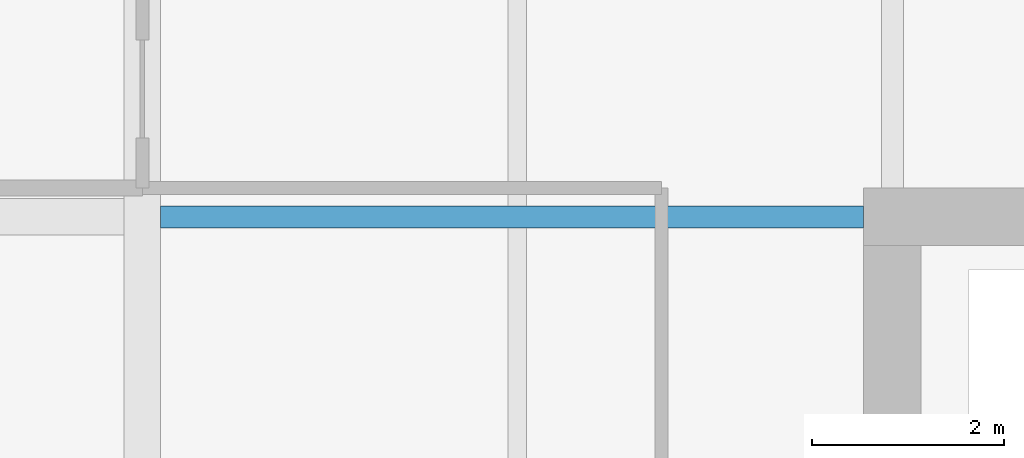
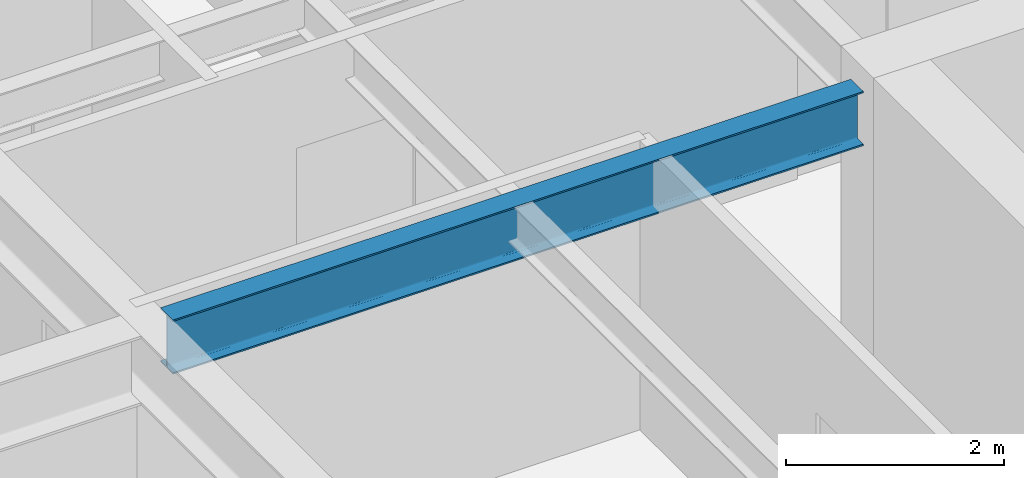
# One storey, part 18 of 38: 1 beam.
"""IFC4 building model written with IfcOpenShell, lengths in metres."""

from ifc_helpers import new_model, si_unit, direction, frame, origin, origin_2d, place, context, subcontext, project, spatial, i_section, extrude, material, material_profile, profile_set, type_object, element, save


model = new_model("IFC4")

# Units and contexts
model_context = context("Model", 3, precision=1e-05, world=origin(), true_north=direction((0.0, 1.0)))
body_context = subcontext(model_context, "Body", "Model", "MODEL_VIEW")
ifc_project = project(units=[si_unit("LENGTHUNIT", "METRE"), si_unit("AREAUNIT", "SQUARE_METRE"), si_unit("VOLUMEUNIT", "CUBIC_METRE"), si_unit("PLANEANGLEUNIT", "RADIAN"), si_unit("MASSUNIT", "GRAM", prefix="KILO")], contexts=[model_context])

# Site, building, storey
site_placement = place(None, origin())
site = spatial("IfcSite", under=ifc_project, at=site_placement, CompositionType="ELEMENT")
building_placement = place(site_placement, origin())
building = spatial("IfcBuilding", under=site, at=building_placement, Name="Drelvath Grand Hotel", CompositionType="ELEMENT")
storey_placement = place(building_placement, frame((0.0, 0.0, 71.699951171875)))
storey = spatial("IfcBuildingStorey", under=building, at=storey_placement, Name="L17", CompositionType="ELEMENT", Elevation=71.699951171875)

# Beam
ifc_material = material(Name="Steel ASTM A992 Gr 50", Category="steel")
ifc_material_profile = material_profile(ifc_material, i_section(OverallWidth=0.228271484375, OverallDepth=0.607666015625, WebThickness=0.01123046875, FlangeThickness=0.017333984375, FilletRadius=0.02001953125, at=origin_2d()), Name="W24X76")
ifc_profile_set = profile_set([ifc_material_profile], Name="Steel ASTM A992 Gr 50")
beam_type = type_object("IfcBeamType", Name="Primary Floor Girder W24X76", PredefinedType="BEAM", material=ifc_profile_set)
beam_placement = place(storey_placement, frame((-16.009765625, 35.39990234375, 2.936279296875), z_axis=(1.0, 0.0, 0.0), x_axis=(0.0, 1.0, 0.0)))
element("IfcBeam", 1, at=beam_placement, inside=storey, type_object=beam_type, Name="L17 West Core Tie F", PredefinedType="BEAM", context=body_context, shape_type="SweptSolid", body=[
    extrude(i_section(OverallWidth=0.228271484375, OverallDepth=0.607666015625, WebThickness=0.01123046875, FlangeThickness=0.017333984375, FilletRadius=0.02001953125, at=origin_2d()), origin(), (0.0, 0.0, 1.0), 7.309814453125),
])

save(model, "model.ifc")
